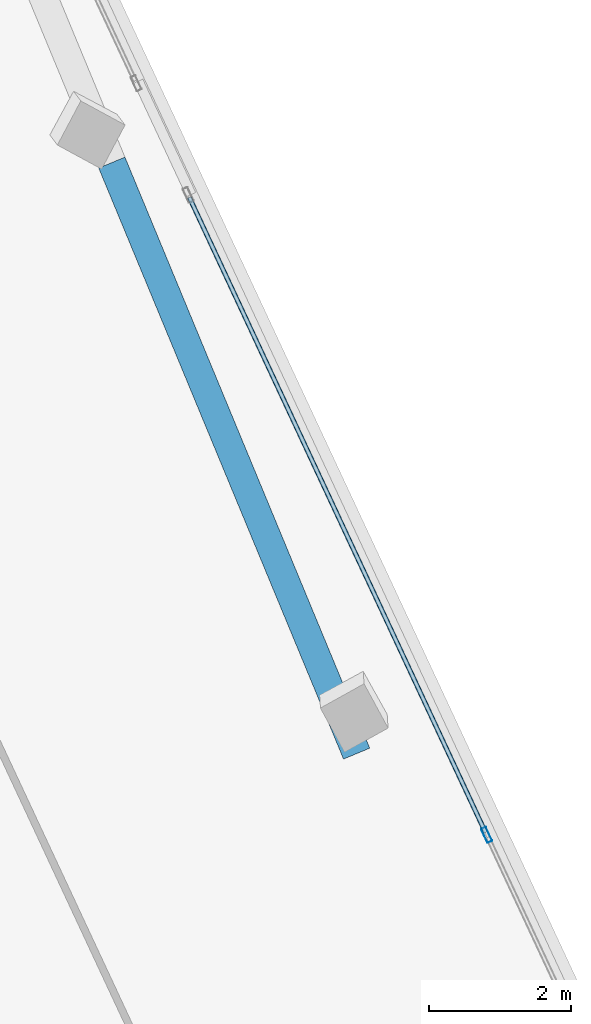
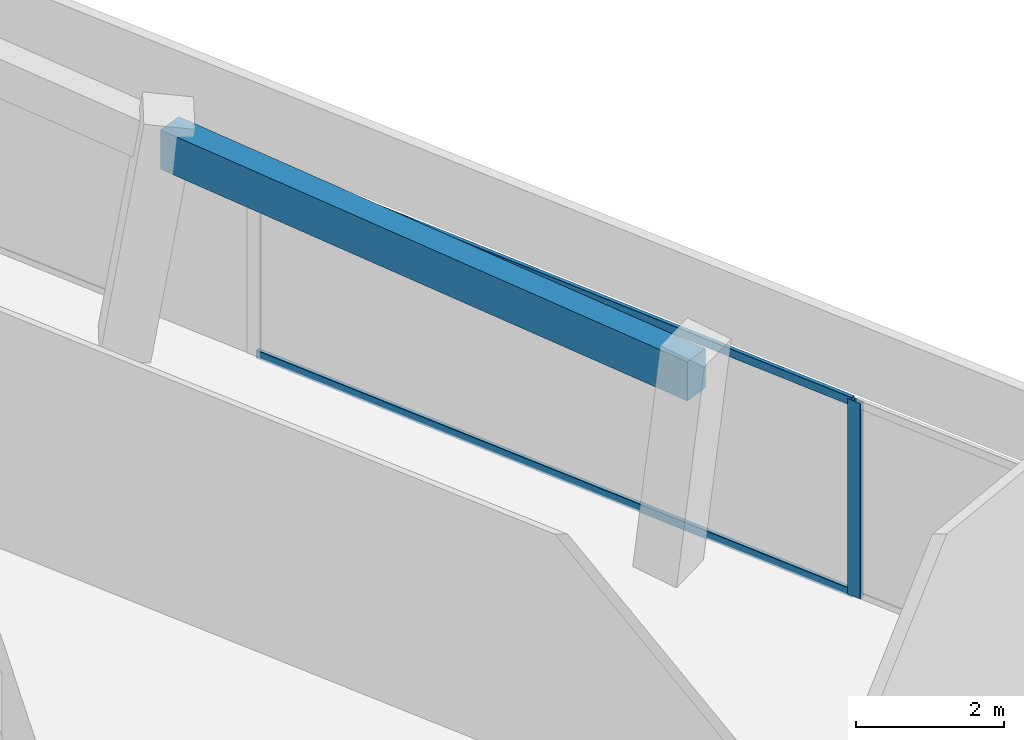
# One storey, part 7 of 16: 3 members, 1 beam, 1 element without a shape of its own.
"""IFC4 building model written with IfcOpenShell, lengths in metres."""

from ifc_helpers import new_model, si_unit, direction, frame, origin, origin_2d, place, context, subcontext, project, spatial, rectangle, hollow_rectangle, extrude, source, transform, mapped, material, material_profile, profile_set, type_object, element, aggregate, save


model = new_model("IFC4")

# Units and contexts
model_context = context("Model", 3, precision=1e-05, world=origin(), true_north=direction((0.0, 1.0)))
body_context = subcontext(model_context, "Body", "Model", "MODEL_VIEW")
ifc_project = project(units=[si_unit("LENGTHUNIT", "METRE"), si_unit("AREAUNIT", "SQUARE_METRE"), si_unit("VOLUMEUNIT", "CUBIC_METRE"), si_unit("PLANEANGLEUNIT", "RADIAN"), si_unit("MASSUNIT", "GRAM", prefix="KILO")], contexts=[model_context])

# Site, building, storey
site_placement = place(None, origin())
site = spatial("IfcSite", under=ifc_project, at=site_placement, CompositionType="ELEMENT")
building_placement = place(site_placement, origin())
building = spatial("IfcBuilding", under=site, at=building_placement, Name="Torre Montelarca", CompositionType="ELEMENT")
storey_placement = place(building_placement, frame((0.0, 0.0, 345.0)))
storey = spatial("IfcBuildingStorey", under=building, at=storey_placement, Name="L78", CompositionType="ELEMENT", Elevation=345.0)

# Beam
ifc_material_1 = material(Name="Concrete C40/50", Category="concrete")
ifc_material_profile_1 = material_profile(ifc_material_1, rectangle(XDim=0.39990234375, YDim=0.64990234375, at=origin_2d()), Name="RCB400X650", Category="concrete")
ifc_profile_set_1 = profile_set([ifc_material_profile_1], Name="Concrete C40/50")
beam_type = type_object("IfcBeamType", Name="BM-SP-RC650-EXT", PredefinedType="SPANDREL", material=ifc_profile_set_1)
shared_shape_1 = source(origin(), body_context, "Body", "SweptSolid", [
    extrude(rectangle(XDim=0.39990234375, YDim=0.64990234375, at=origin_2d()), origin(), (0.0, 0.0, 1.0), 9.0),
])
beam_placement = place(storey_placement, frame((34.157470703125, 41.03125, 3.594970703125), z_axis=(0.382676821686, -0.923882270716, 0.0), x_axis=(0.923882270716, 0.382676821686, 0.0)))
element("IfcBeam", 1, at=beam_placement, inside=storey, type_object=beam_type, Name="L78 Grid Girder X 18.0-27.0 at Y=47.1", PredefinedType="SPANDREL", context=body_context, shape_type="MappedRepresentation", body=[
    mapped(shared_shape_1, transform((0.0, 0.0, 0.0), scale=1.0)),
])

# Curtain wall, members
ifc_material_2 = material(Name="Insulated low-E laminated glass", Category="glass")
curtain_wall_type = type_object("IfcCurtainWallType", Name="CW-SYS-Z4", PredefinedType="USERDEFINED", material=ifc_material_2)
curtain_wall_placement = place(storey_placement, origin())
curtain_wall = element("IfcCurtainWall", 2, at=curtain_wall_placement, inside=storey, type_object=curtain_wall_type, Name="L78 Curtain Wall Run CW-T3-L78-E08-B1", ObjectType="UNITISED GLAZING", PredefinedType="USERDEFINED")
ifc_material_3 = material(Name="Anodised aluminium AA 6063-T6", Category="aluminium")
ifc_material_profile_2 = material_profile(ifc_material_3, hollow_rectangle(XDim=0.074951171875, YDim=0.219970703125, WallThickness=0.0048828125, InnerFilletRadius=0.0048828125, OuterFilletRadius=0.010009765625, at=origin_2d()), Name="ALU75X220X5", Category="aluminium")
ifc_profile_set_2 = profile_set([ifc_material_profile_2], Name="Anodised aluminium AA 6063-T6")
member_type_1 = type_object("IfcMemberType", Name="CWM-ALU220", PredefinedType="MULLION", material=ifc_profile_set_2)
shared_shape_2 = source(origin(), body_context, "Body", "SweptSolid", [
    extrude(hollow_rectangle(XDim=0.074951171875, YDim=0.219970703125, WallThickness=0.0048828125, InnerFilletRadius=0.0048828125, OuterFilletRadius=0.010009765625, at=origin_2d()), origin(), (0.0, 0.0, 1.0), 3.235107421875),
])
member_1_placement = place(storey_placement, frame((39.43017578125, 31.573486328125, 0.0), z_axis=(0.0, 0.0, 1.0), x_axis=(-0.906309172105, -0.42261529144, 0.0)))
member_1 = element("IfcMember", 3, at=member_1_placement, type_object=member_type_1, Name="CW mullion 2", PredefinedType="MULLION", context=body_context, shape_type="MappedRepresentation", body=[
    mapped(shared_shape_2, transform((0.0, 0.0, 0.0), scale=1.0)),
])
ifc_material_profile_3 = material_profile(ifc_material_3, hollow_rectangle(XDim=0.06494140625, YDim=0.139892578125, WallThickness=0.00390625, InnerFilletRadius=0.00390625, OuterFilletRadius=0.008056640625, at=origin_2d()), Name="ALU65X140X4", Category="aluminium")
ifc_profile_set_3 = profile_set([ifc_material_profile_3], Name="Anodised aluminium AA 6063-T6")
member_type_2 = type_object("IfcMemberType", Name="CWT-ALU140", PredefinedType="USERDEFINED", material=ifc_profile_set_3)
shared_shape_3 = source(origin(), body_context, "Body", "SweptSolid", [
    extrude(hollow_rectangle(XDim=0.06494140625, YDim=0.139892578125, WallThickness=0.00390625, InnerFilletRadius=0.00390625, OuterFilletRadius=0.008056640625, at=origin_2d()), origin(), (0.0, 0.0, 1.0), 9.857421875),
])
member_2_placement = place(storey_placement, frame((39.414306640625, 31.607421875, 0.032470703125), z_axis=(-0.422626477784, 0.906303955787, 0.0), x_axis=(-0.906303955787, -0.422626477784, 0.0)))
member_2 = element("IfcMember", 4, at=member_2_placement, type_object=member_type_2, Name="CW transom 2.1", ObjectType="TRANSOM", PredefinedType="USERDEFINED", context=body_context, shape_type="MappedRepresentation", body=[
    mapped(shared_shape_3, transform((0.0, 0.0, 0.0), scale=1.0)),
])
member_3_placement = place(storey_placement, frame((39.414306640625, 31.607421875, 3.202392578125), z_axis=(-0.422626477784, 0.906303955787, 0.0), x_axis=(-0.906303955787, -0.422626477784, 0.0)))
member_3 = element("IfcMember", 5, at=member_3_placement, type_object=member_type_2, Name="CW transom 2.2", ObjectType="TRANSOM", PredefinedType="USERDEFINED", context=body_context, shape_type="MappedRepresentation", body=[
    mapped(shared_shape_3, transform((0.0, 0.0, 0.0), scale=1.0)),
])
aggregate(curtain_wall, [member_1, member_2, member_3])

save(model, "model.ifc")
